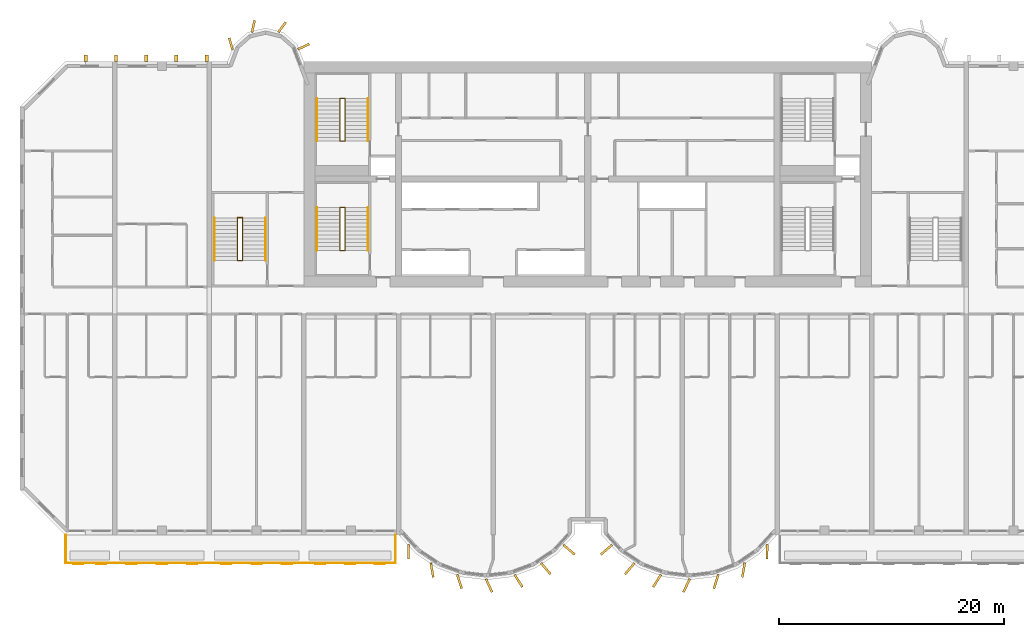
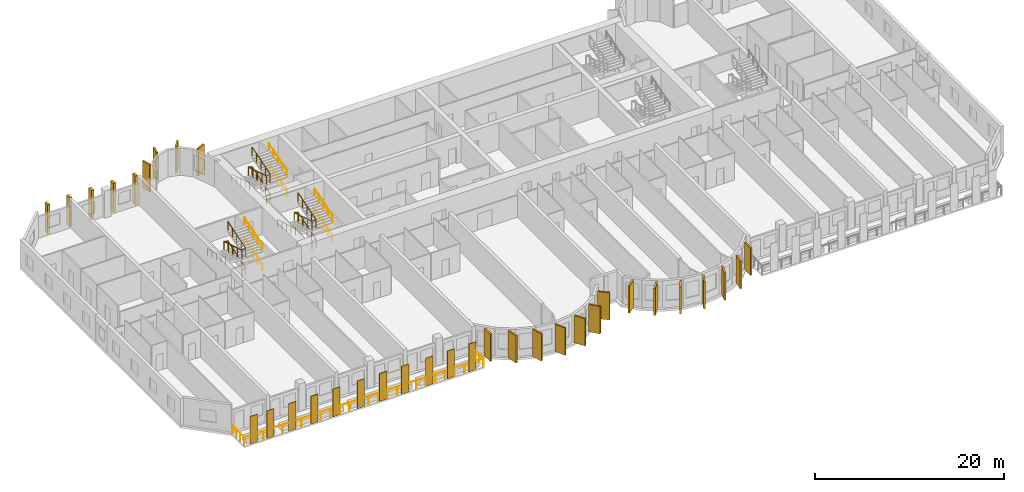
# One storey, part 12 of 14: 34 coverings, 13 railings.
"""IFC4 building model written with IfcOpenShell, lengths in metres."""

from ifc_helpers import new_model, si_unit, direction, frame, origin, origin_2d, place, context, subcontext, project, spatial, rectangle, circle, extrude, source, transform, mapped, material, layer, layer_set, material_profile, profile_set, type_object, element, save


model = new_model("IFC4")

# Units and contexts
model_context = context("Model", 3, precision=1e-05, world=origin(), true_north=direction((0.0, 1.0)))
body_context = subcontext(model_context, "Body", "Model", "MODEL_VIEW")
ifc_project = project(units=[si_unit("LENGTHUNIT", "METRE"), si_unit("AREAUNIT", "SQUARE_METRE"), si_unit("VOLUMEUNIT", "CUBIC_METRE"), si_unit("PLANEANGLEUNIT", "RADIAN"), si_unit("MASSUNIT", "GRAM", prefix="KILO")], contexts=[model_context])

# Site, building, storey
site_placement = place(None, origin())
site = spatial("IfcSite", under=ifc_project, at=site_placement, CompositionType="ELEMENT")
building_placement = place(site_placement, origin())
building = spatial("IfcBuilding", under=site, at=building_placement, Name="Vanashikhar Sky Hotel", CompositionType="ELEMENT")
storey_placement = place(building_placement, frame((0.0, 0.0, 50.60009765625)))
storey = spatial("IfcBuildingStorey", under=building, at=storey_placement, Name="L11", CompositionType="ELEMENT", Elevation=50.60009765625)

# Railing
ifc_material_1 = material(Name="Stainless steel 316", Category="steel")
railing_type_1 = type_object("IfcRailingType", Name="Balcony guard 1100", PredefinedType="GUARDRAIL", material=ifc_material_1)
shared_shape_1 = source(origin(), body_context, "Body", "SweptSolid", [
    extrude(circle(Radius=0.02392578125, at=origin_2d()), frame((0.0, 0.0, 1.076171875), z_axis=(0.0, -1.0, 0.0), x_axis=(1.0, 0.0, 0.0)), (0.0, 0.0, 1.0), 2.5),
    extrude(circle(Radius=0.02392578125, at=origin_2d()), frame((0.0, -2.5, 1.076171875), z_axis=(1.0, 0.0, 0.0), x_axis=(0.0, 1.0, 0.0)), (0.0, 0.0, 1.0), 29.280029296875),
    extrude(circle(Radius=0.02392578125, at=origin_2d()), frame((29.280029296875, -2.5, 1.076171875), z_axis=(0.0, 1.0, 0.0), x_axis=(-1.0, 0.0, 0.0)), (0.0, 0.0, 1.0), 2.5),
    extrude(circle(Radius=0.02099609375, at=origin_2d()), origin(), (0.0, 0.0, 1.0), 1.052001953125),
    extrude(circle(Radius=0.02099609375, at=origin_2d()), frame((0.0, -0.833251953125, 0.0)), (0.0, 0.0, 1.0), 1.052001953125),
    extrude(circle(Radius=0.02099609375, at=origin_2d()), frame((0.0, -1.666748046875, 0.0)), (0.0, 0.0, 1.0), 1.052001953125),
    extrude(circle(Radius=0.02099609375, at=origin_2d()), frame((0.0, -2.5, 0.0)), (0.0, 0.0, 1.0), 1.052001953125),
    extrude(circle(Radius=0.02099609375, at=origin_2d()), frame((1.171142578125, -2.5, 0.0)), (0.0, 0.0, 1.0), 1.052001953125),
    extrude(circle(Radius=0.02099609375, at=origin_2d()), frame((2.34228515625, -2.5, 0.0)), (0.0, 0.0, 1.0), 1.052001953125),
    extrude(circle(Radius=0.02099609375, at=origin_2d()), frame((3.513671875, -2.5, 0.0)), (0.0, 0.0, 1.0), 1.052001953125),
    extrude(circle(Radius=0.02099609375, at=origin_2d()), frame((4.684814453125, -2.5, 0.0)), (0.0, 0.0, 1.0), 1.052001953125),
    extrude(circle(Radius=0.02099609375, at=origin_2d()), frame((5.85595703125, -2.5, 0.0)), (0.0, 0.0, 1.0), 1.052001953125),
    extrude(circle(Radius=0.02099609375, at=origin_2d()), frame((7.027099609375, -2.5, 0.0)), (0.0, 0.0, 1.0), 1.052001953125),
    extrude(circle(Radius=0.02099609375, at=origin_2d()), frame((8.198486328125, -2.5, 0.0)), (0.0, 0.0, 1.0), 1.052001953125),
    extrude(circle(Radius=0.02099609375, at=origin_2d()), frame((9.36962890625, -2.5, 0.0)), (0.0, 0.0, 1.0), 1.052001953125),
    extrude(circle(Radius=0.02099609375, at=origin_2d()), frame((10.540771484375, -2.5, 0.0)), (0.0, 0.0, 1.0), 1.052001953125),
    extrude(circle(Radius=0.02099609375, at=origin_2d()), frame((11.7119140625, -2.5, 0.0)), (0.0, 0.0, 1.0), 1.052001953125),
    extrude(circle(Radius=0.02099609375, at=origin_2d()), frame((12.88330078125, -2.5, 0.0)), (0.0, 0.0, 1.0), 1.052001953125),
    extrude(circle(Radius=0.02099609375, at=origin_2d()), frame((14.054443359375, -2.5, 0.0)), (0.0, 0.0, 1.0), 1.052001953125),
    extrude(circle(Radius=0.02099609375, at=origin_2d()), frame((15.2255859375, -2.5, 0.0)), (0.0, 0.0, 1.0), 1.052001953125),
    extrude(circle(Radius=0.02099609375, at=origin_2d()), frame((16.396728515625, -2.5, 0.0)), (0.0, 0.0, 1.0), 1.052001953125),
    extrude(circle(Radius=0.02099609375, at=origin_2d()), frame((17.568115234375, -2.5, 0.0)), (0.0, 0.0, 1.0), 1.052001953125),
    extrude(circle(Radius=0.02099609375, at=origin_2d()), frame((18.7392578125, -2.5, 0.0)), (0.0, 0.0, 1.0), 1.052001953125),
    extrude(circle(Radius=0.02099609375, at=origin_2d()), frame((19.910400390625, -2.5, 0.0)), (0.0, 0.0, 1.0), 1.052001953125),
    extrude(circle(Radius=0.02099609375, at=origin_2d()), frame((21.08154296875, -2.5, 0.0)), (0.0, 0.0, 1.0), 1.052001953125),
    extrude(circle(Radius=0.02099609375, at=origin_2d()), frame((22.2529296875, -2.5, 0.0)), (0.0, 0.0, 1.0), 1.052001953125),
    extrude(circle(Radius=0.02099609375, at=origin_2d()), frame((23.424072265625, -2.5, 0.0)), (0.0, 0.0, 1.0), 1.052001953125),
    extrude(circle(Radius=0.02099609375, at=origin_2d()), frame((24.59521484375, -2.5, 0.0)), (0.0, 0.0, 1.0), 1.052001953125),
    extrude(circle(Radius=0.02099609375, at=origin_2d()), frame((25.766357421875, -2.5, 0.0)), (0.0, 0.0, 1.0), 1.052001953125),
    extrude(circle(Radius=0.02099609375, at=origin_2d()), frame((26.937744140625, -2.5, 0.0)), (0.0, 0.0, 1.0), 1.052001953125),
    extrude(circle(Radius=0.02099609375, at=origin_2d()), frame((28.10888671875, -2.5, 0.0)), (0.0, 0.0, 1.0), 1.052001953125),
    extrude(circle(Radius=0.02099609375, at=origin_2d()), frame((29.280029296875, -2.5, 0.0)), (0.0, 0.0, 1.0), 1.052001953125),
    extrude(circle(Radius=0.02099609375, at=origin_2d()), frame((29.280029296875, -1.666748046875, 0.0)), (0.0, 0.0, 1.0), 1.052001953125),
    extrude(circle(Radius=0.02099609375, at=origin_2d()), frame((29.280029296875, -0.833251953125, 0.0)), (0.0, 0.0, 1.0), 1.052001953125),
    extrude(circle(Radius=0.02099609375, at=origin_2d()), frame((29.280029296875, 0.0, 0.0)), (0.0, 0.0, 1.0), 1.052001953125),
])
railing_1_placement = place(storey_placement, frame((4.06005859375, 0.0, -0.050048828125)))
element("IfcRailing", 1, at=railing_1_placement, inside=storey, type_object=railing_type_1, Name="Balcony guard", PredefinedType="GUARDRAIL", context=body_context, shape_type="MappedRepresentation", body=[
    mapped(shared_shape_1, transform((0.0, 0.0, 0.0), scale=1.0)),
])

# Coverings
ifc_material_2 = material(Name="Terracotta", Category="masonry")
ifc_layer = layer(ifc_material_2, 0.06005859375)
ifc_layer_set = layer_set([ifc_layer], Name="Terracotta baguette screen")
covering_type_1 = type_object("IfcCoveringType", Name="Terracotta baguette screen", PredefinedType="CLADDING", material=ifc_layer_set)
shared_shape_2 = source(origin(), body_context, "Body", "SweptSolid", [
    extrude(rectangle(XDim=0.89990234375, YDim=0.06005859375, at=origin_2d()), origin(), (0.0, 0.0, 1.0), 3.60009765625),
])
for number, where, z_axis, x_axis, name in (
    (2, (5.175048828125, -2.570068359375, -0.050048828125), (0.0, 0.0, 1.0), (1.0, 0.0, 0.0), "Terracotta screen"),
    (3, (7.22509765625, -2.570068359375, -0.050048828125), (0.0, 0.0, 1.0), (1.0, 0.0, 0.0), "Terracotta screen"),
    (4, (9.89990234375, -2.570068359375, -0.050048828125), (0.0, 0.0, 1.0), (1.0, 0.0, 0.0), "Terracotta screen"),
    (5, (12.60009765625, -2.570068359375, -0.050048828125), (0.0, 0.0, 1.0), (1.0, 0.0, 0.0), "Terracotta screen"),
    (6, (15.300048828125, -2.570068359375, -0.050048828125), (0.0, 0.0, 1.0), (1.0, 0.0, 0.0), "Terracotta screen"),
    (7, (18.300048828125, -2.570068359375, -0.050048828125), (0.0, 0.0, 1.0), (1.0, 0.0, 0.0), "Terracotta screen"),
    (8, (21.0, -2.570068359375, -0.050048828125), (0.0, 0.0, 1.0), (1.0, 0.0, 0.0), "Terracotta screen"),
    (9, (23.699951171875, -2.570068359375, -0.050048828125), (0.0, 0.0, 1.0), (1.0, 0.0, 0.0), "Terracotta screen"),
    (10, (26.666748046875, -2.570068359375, -0.050048828125), (0.0, 0.0, 1.0), (1.0, 0.0, 0.0), "Terracotta screen"),
    (11, (29.300048828125, -2.570068359375, -0.050048828125), (0.0, 0.0, 1.0), (1.0, 0.0, 0.0), "Terracotta screen"),
    (12, (31.933349609375, -2.570068359375, -0.050048828125), (0.0, 0.0, 1.0), (1.0, 0.0, 0.0), "Terracotta screen"),
):
    element("IfcCovering", number, at=place(storey_placement, frame(where, z_axis=z_axis, x_axis=x_axis)), inside=storey, type_object=covering_type_1, Name=name, PredefinedType="CLADDING", context=body_context, shape_type="MappedRepresentation", body=[
        mapped(shared_shape_2, transform((0.0, 0.0, 0.0), scale=1.0)),
    ])
ifc_material_3 = material(Name="Concrete M60 dark", Category="concrete")
ifc_material_profile_1 = material_profile(ifc_material_3, rectangle(XDim=1.300048828125, YDim=0.199951171875, at=origin_2d()))
ifc_profile_set_1 = profile_set([ifc_material_profile_1], Name="Fin 1300 x 200")
covering_type_2 = type_object("IfcCoveringType", Name="Fin 1300 x 200", PredefinedType="CLADDING", material=ifc_profile_set_1)
shared_shape_3 = source(origin(), body_context, "Body", "SweptSolid", [
    extrude(rectangle(XDim=1.300048828125, YDim=0.199951171875, at=origin_2d()), origin(), (0.0, 0.0, 1.0), 3.52001953125),
])
for number, where, z_axis, x_axis, name in (
    (13, (34.482421875, -1.507080078125, 0.0), (0.0, 0.0, 1.0), (0.011588726826, -0.999932848451, 0.0), "Fin F1-1"),
    (14, (36.572509765625, -3.1220703125, 0.0), (0.0, 0.0, 1.0), (0.16989991575, -0.985461322746, 0.0), "Fin F1-2"),
    (15, (39.00830078125, -4.14306640625, 0.0), (0.0, 0.0, 1.0), (0.303966551867, -0.952682704444, 0.0), "Fin F1-3"),
    (16, (41.63232421875, -4.49853515625, 0.0), (0.0, 0.0, 1.0), (0.422618261741, -0.906307787037, 0.0), "Fin F1-4"),
    (17, (44.251953125, -4.083984375, 0.0), (0.0, 0.0, 1.0), (0.534411358496, -0.845224526331, 0.0), "Fin F1-5"),
    (18, (46.676025390625, -3.0, 0.0), (0.0, 0.0, 1.0), (0.645697609467, -0.763593214433, 0.0), "Fin F1-6"),
    (19, (48.7412109375, -1.3154296875, 0.0), (0.0, 0.0, 1.0), (0.758543912032, -0.65162192529, 0.0), "Fin F1-7"),
    (20, (52.058837890625, -1.3154296875, 0.0), (0.0, 0.0, 1.0), (-0.758543912032, -0.65162192529, 0.0), "Fin F2-1"),
    (21, (54.123779296875, -3.0, 0.0), (0.0, 0.0, 1.0), (-0.645697609467, -0.763593214433, 0.0), "Fin F2-2"),
    (22, (56.547119140625, -4.083984375, 0.0), (0.0, 0.0, 1.0), (-0.534411358496, -0.845224526331, 0.0), "Fin F2-3"),
    (23, (59.16748046875, -4.49853515625, 0.0), (0.0, 0.0, 1.0), (-0.422618261741, -0.906307787037, 0.0), "Fin F2-4"),
    (24, (61.790771484375, -4.14306640625, 0.0), (0.0, 0.0, 1.0), (-0.303966551867, -0.952682704444, 0.0), "Fin F2-5"),
    (25, (64.2275390625, -3.1220703125, 0.0), (0.0, 0.0, 1.0), (-0.16989991575, -0.985461322746, 0.0), "Fin F2-6"),
    (26, (66.317626953125, -1.507080078125, 0.0), (0.0, 0.0, 1.0), (-0.011588726826, -0.999932848451, 0.0), "Fin F2-7"),
):
    element("IfcCovering", number, at=place(storey_placement, frame(where, z_axis=z_axis, x_axis=x_axis)), inside=storey, type_object=covering_type_2, Name=name, PredefinedType="CLADDING", context=body_context, shape_type="MappedRepresentation", body=[
        mapped(shared_shape_3, transform((0.0, 0.0, 0.0), scale=1.0)),
    ])
ifc_material_profile_2 = material_profile(ifc_material_3, rectangle(XDim=1.10009765625, YDim=0.199951171875, at=origin_2d()))
ifc_profile_set_2 = profile_set([ifc_material_profile_2], Name="Rear lobe fin 1100 x 200")
covering_type_3 = type_object("IfcCoveringType", Name="Rear lobe fin 1100 x 200", PredefinedType="CLADDING", material=ifc_profile_set_2)
shared_shape_4 = source(origin(), body_context, "Body", "SweptSolid", [
    extrude(rectangle(XDim=1.10009765625, YDim=0.199951171875, at=origin_2d()), origin(), (0.0, 0.0, 1.0), 3.52001953125),
])
for number, where, z_axis, x_axis, name in (
    (27, (18.720703125, 43.580078125, 0.0), (0.0, 0.0, 1.0), (-0.262711264409, 0.964874495234, 0.0), "Fin R1-1"),
    (28, (20.710205078125, 45.1455078125, 0.0), (0.0, 0.0, 1.0), (0.224644935864, 0.974440687159, 0.0), "Fin R1-2"),
    (29, (23.261962890625, 45.06640625, 0.0), (0.0, 0.0, 1.0), (0.602065892195, 0.798446404874, 0.0), "Fin R1-3"),
    (30, (25.169677734375, 43.33447265625, 0.0), (0.0, 0.0, 1.0), (0.908004291068, 0.418960866193, 0.0), "Fin R1-4"),
):
    element("IfcCovering", number, at=place(storey_placement, frame(where, z_axis=z_axis, x_axis=x_axis)), inside=storey, type_object=covering_type_3, Name=name, PredefinedType="CLADDING", context=body_context, shape_type="MappedRepresentation", body=[
        mapped(shared_shape_4, transform((0.0, 0.0, 0.0), scale=1.0)),
    ])
ifc_material_profile_3 = material_profile(ifc_material_3, rectangle(XDim=0.60009765625, YDim=0.300048828125, at=origin_2d()))
ifc_profile_set_3 = profile_set([ifc_material_profile_3], Name="Rear rib 600 x 300")
covering_type_4 = type_object("IfcCoveringType", Name="Rear rib 600 x 300", PredefinedType="CLADDING", material=ifc_profile_set_3)
shared_shape_5 = source(origin(), body_context, "Body", "SweptSolid", [
    extrude(rectangle(XDim=0.60009765625, YDim=0.300048828125, at=origin_2d()), origin(), (0.0, 0.0, 1.0), 3.800048828125),
])
for number, where, z_axis, x_axis, name in (
    (31, (5.840087890625, 42.300048828125, -0.280029296875), (0.0, 0.0, 1.0), (0.0, 1.0, 0.0), "Rear rib"),
    (32, (8.52001953125, 42.300048828125, -0.280029296875), (0.0, 0.0, 1.0), (0.0, 1.0, 0.0), "Rear rib"),
    (33, (11.199951171875, 42.300048828125, -0.280029296875), (0.0, 0.0, 1.0), (0.0, 1.0, 0.0), "Rear rib"),
    (34, (13.8798828125, 42.300048828125, -0.280029296875), (0.0, 0.0, 1.0), (0.0, 1.0, 0.0), "Rear rib"),
    (35, (16.56005859375, 42.300048828125, -0.280029296875), (0.0, 0.0, 1.0), (0.0, 1.0, 0.0), "Rear rib"),
):
    element("IfcCovering", number, at=place(storey_placement, frame(where, z_axis=z_axis, x_axis=x_axis)), inside=storey, type_object=covering_type_4, Name=name, PredefinedType="CLADDING", context=body_context, shape_type="MappedRepresentation", body=[
        mapped(shared_shape_5, transform((0.0, 0.0, 0.0), scale=1.0)),
    ])

# Railings
ifc_material_4 = material(Name="Steel S355", Category="steel")
railing_type_2 = type_object("IfcRailingType", Name="Stair handrail 900", PredefinedType="HANDRAIL", material=ifc_material_4)
shared_shape_6 = source(origin(), body_context, "Body", "SweptSolid", [
    extrude(circle(Radius=0.02392578125, at=origin_2d()), frame((0.0, 0.0, 0.8759765625), z_axis=(0.0, 0.95635109408, 0.292220096591), x_axis=(-1.0, 0.0, 0.0)), (0.0, 0.0, 1.0), 3.973388671875),
    extrude(circle(Radius=0.02099609375, at=origin_2d()), origin(), (0.0, 0.0, 1.0), 0.851806640625),
    extrude(circle(Radius=0.02099609375, at=origin_2d()), frame((0.0, 0.949951171875, 0.290283203125)), (0.0, 0.0, 1.0), 0.851806640625),
    extrude(circle(Radius=0.02099609375, at=origin_2d()), frame((0.0, 1.89990234375, 0.58056640625)), (0.0, 0.0, 1.0), 0.851806640625),
    extrude(circle(Radius=0.02099609375, at=origin_2d()), frame((0.0, 2.85009765625, 0.870849609375)), (0.0, 0.0, 1.0), 0.851806640625),
    extrude(circle(Radius=0.02099609375, at=origin_2d()), frame((0.0, 3.800048828125, 1.1611328125)), (0.0, 0.0, 1.0), 0.851806640625),
])
for number, where, name in (
    (36, (30.89990234375, 25.25, 0.10546875), "Exit stair 1 handrail"),
    (37, (30.89990234375, 25.25, 2.638671875), "Exit stair 1 handrail"),
    (38, (30.89990234375, 34.949951171875, 0.10546875), "Exit stair 5 handrail"),
    (39, (30.89990234375, 34.949951171875, 2.638671875), "Exit stair 5 handrail"),
):
    element("IfcRailing", number, at=place(storey_placement, frame(where)), inside=storey, type_object=railing_type_2, Name=name, PredefinedType="HANDRAIL", context=body_context, shape_type="MappedRepresentation", body=[
        mapped(shared_shape_6, transform((0.0, 0.0, 0.0), scale=1.0)),
    ])
shared_shape_7 = source(origin(), body_context, "Body", "SweptSolid", [
    extrude(circle(Radius=0.02392578125, at=origin_2d()), frame((0.0, 0.0, 0.8759765625), z_axis=(0.0, -0.95635109408, 0.292220096591), x_axis=(1.0, 0.0, 0.0)), (0.0, 0.0, 1.0), 3.973388671875),
    extrude(circle(Radius=0.02099609375, at=origin_2d()), origin(), (0.0, 0.0, 1.0), 0.851806640625),
    extrude(circle(Radius=0.02099609375, at=origin_2d()), frame((0.0, -0.949951171875, 0.290283203125)), (0.0, 0.0, 1.0), 0.851806640625),
    extrude(circle(Radius=0.02099609375, at=origin_2d()), frame((0.0, -1.89990234375, 0.58056640625)), (0.0, 0.0, 1.0), 0.851806640625),
    extrude(circle(Radius=0.02099609375, at=origin_2d()), frame((0.0, -2.85009765625, 0.870849609375)), (0.0, 0.0, 1.0), 0.851806640625),
    extrude(circle(Radius=0.02099609375, at=origin_2d()), frame((0.0, -3.800048828125, 1.1611328125)), (0.0, 0.0, 1.0), 0.851806640625),
])
for number, where, name in (
    (40, (26.35009765625, 29.050048828125, 1.3720703125), "Exit stair 1 handrail"),
    (41, (26.35009765625, 38.75, 1.3720703125), "Exit stair 5 handrail"),
):
    element("IfcRailing", number, at=place(storey_placement, frame(where)), inside=storey, type_object=railing_type_2, Name=name, PredefinedType="HANDRAIL", context=body_context, shape_type="MappedRepresentation", body=[
        mapped(shared_shape_7, transform((0.0, 0.0, 0.0), scale=1.0)),
    ])
railing_type_3 = type_object("IfcRailingType", Name="Stair guard 1100", PredefinedType="GUARDRAIL", material=ifc_material_4)
shared_shape_8 = source(origin(), body_context, "Body", "SweptSolid", [
    extrude(circle(Radius=0.02392578125, at=origin_2d()), frame((0.0, 0.0, 1.076171875), z_axis=(0.973638301096, 0.0, 0.228097476179), x_axis=(0.0, 1.0, 0.0)), (0.0, 0.0, 1.0), 0.46240234375),
    extrude(circle(Radius=0.02392578125, at=origin_2d()), frame((0.4501953125, 0.0, 1.181640625), z_axis=(0.0, 0.95635109408, 0.292220096591), x_axis=(-1.0, 0.0, 0.0)), (0.0, 0.0, 1.0), 3.973388671875),
    extrude(circle(Radius=0.02392578125, at=origin_2d()), frame((0.4501953125, 3.800048828125, 2.3427734375), z_axis=(-0.973638301096, 0.0, 0.228097476179), x_axis=(0.0, -1.0, 0.0)), (0.0, 0.0, 1.0), 0.46240234375),
    extrude(circle(Radius=0.02392578125, at=origin_2d()), frame((0.0, 3.800048828125, 2.4482421875), z_axis=(0.0, -0.95635109408, 0.292220096591), x_axis=(1.0, 0.0, 0.0)), (0.0, 0.0, 1.0), 3.973388671875),
    extrude(circle(Radius=0.02392578125, at=origin_2d()), frame((0.0, 0.0, 3.609375), z_axis=(0.973638301096, 0.0, 0.228097476179), x_axis=(0.0, 1.0, 0.0)), (0.0, 0.0, 1.0), 0.46240234375),
    extrude(circle(Radius=0.02392578125, at=origin_2d()), frame((0.4501953125, 0.0, 3.71484375), z_axis=(0.0, 0.95635109408, 0.292220096591), x_axis=(-1.0, 0.0, 0.0)), (0.0, 0.0, 1.0), 3.973388671875),
    extrude(circle(Radius=0.02099609375, at=origin_2d()), origin(), (0.0, 0.0, 1.0), 1.052001953125),
    extrude(circle(Radius=0.02099609375, at=origin_2d()), frame((0.4501953125, 0.0, 0.10546875)), (0.0, 0.0, 1.0), 1.052001953125),
    extrude(circle(Radius=0.02099609375, at=origin_2d()), frame((0.4501953125, 0.949951171875, 0.395751953125)), (0.0, 0.0, 1.0), 1.052001953125),
    extrude(circle(Radius=0.02099609375, at=origin_2d()), frame((0.4501953125, 1.89990234375, 0.68603515625)), (0.0, 0.0, 1.0), 1.052001953125),
    extrude(circle(Radius=0.02099609375, at=origin_2d()), frame((0.4501953125, 2.85009765625, 0.976318359375)), (0.0, 0.0, 1.0), 1.052001953125),
    extrude(circle(Radius=0.02099609375, at=origin_2d()), frame((0.4501953125, 3.800048828125, 1.2666015625)), (0.0, 0.0, 1.0), 1.052001953125),
    extrude(circle(Radius=0.02099609375, at=origin_2d()), frame((0.0, 3.800048828125, 1.3720703125)), (0.0, 0.0, 1.0), 1.052001953125),
    extrude(circle(Radius=0.02099609375, at=origin_2d()), frame((0.0, 2.85009765625, 1.662353515625)), (0.0, 0.0, 1.0), 1.052001953125),
    extrude(circle(Radius=0.02099609375, at=origin_2d()), frame((0.0, 1.89990234375, 1.95263671875)), (0.0, 0.0, 1.0), 1.052001953125),
    extrude(circle(Radius=0.02099609375, at=origin_2d()), frame((0.0, 0.949951171875, 2.242919921875)), (0.0, 0.0, 1.0), 1.052001953125),
    extrude(circle(Radius=0.02099609375, at=origin_2d()), frame((0.0, 0.0, 2.533203125)), (0.0, 0.0, 1.0), 1.052001953125),
    extrude(circle(Radius=0.02099609375, at=origin_2d()), frame((0.4501953125, 0.0, 2.638671875)), (0.0, 0.0, 1.0), 1.052001953125),
    extrude(circle(Radius=0.02099609375, at=origin_2d()), frame((0.4501953125, 0.949951171875, 2.928955078125)), (0.0, 0.0, 1.0), 1.052001953125),
    extrude(circle(Radius=0.02099609375, at=origin_2d()), frame((0.4501953125, 1.89990234375, 3.21923828125)), (0.0, 0.0, 1.0), 1.052001953125),
    extrude(circle(Radius=0.02099609375, at=origin_2d()), frame((0.4501953125, 2.85009765625, 3.509521484375)), (0.0, 0.0, 1.0), 1.052001953125),
    extrude(circle(Radius=0.02099609375, at=origin_2d()), frame((0.4501953125, 3.800048828125, 3.7998046875)), (0.0, 0.0, 1.0), 1.052001953125),
])
for number, where, name in (
    (42, (28.39990234375, 25.25, 0.0), "Exit stair 1 guard"),
    (43, (28.39990234375, 34.949951171875, 0.0), "Exit stair 5 guard"),
):
    element("IfcRailing", number, at=place(storey_placement, frame(where)), inside=storey, type_object=railing_type_3, Name=name, PredefinedType="GUARDRAIL", context=body_context, shape_type="MappedRepresentation", body=[
        mapped(shared_shape_8, transform((0.0, 0.0, 0.0), scale=1.0)),
    ])
shared_shape_9 = source(origin(), body_context, "Body", "SweptSolid", [
    extrude(circle(Radius=0.02392578125, at=origin_2d()), frame((0.0, 0.0, 0.8759765625), z_axis=(0.0, 0.956345846891, 0.292237268557), x_axis=(-1.0, 0.0, 0.0)), (0.0, 0.0, 1.0), 3.97314453125),
    extrude(circle(Radius=0.02099609375, at=origin_2d()), origin(), (0.0, 0.0, 1.0), 0.851806640625),
    extrude(circle(Radius=0.02099609375, at=origin_2d()), frame((0.0, 0.949951171875, 0.290283203125)), (0.0, 0.0, 1.0), 0.851806640625),
    extrude(circle(Radius=0.02099609375, at=origin_2d()), frame((0.0, 1.89990234375, 0.58056640625)), (0.0, 0.0, 1.0), 0.851806640625),
    extrude(circle(Radius=0.02099609375, at=origin_2d()), frame((0.0, 2.849853515625, 0.870849609375)), (0.0, 0.0, 1.0), 0.851806640625),
    extrude(circle(Radius=0.02099609375, at=origin_2d()), frame((0.0, 3.7998046875, 1.1611328125)), (0.0, 0.0, 1.0), 0.851806640625),
])
for number, where, name in (
    (44, (21.800048828125, 24.35009765625, 0.10546875), "Exit stair 3 handrail"),
    (45, (21.800048828125, 24.35009765625, 2.638671875), "Exit stair 3 handrail"),
):
    element("IfcRailing", number, at=place(storey_placement, frame(where)), inside=storey, type_object=railing_type_2, Name=name, PredefinedType="HANDRAIL", context=body_context, shape_type="MappedRepresentation", body=[
        mapped(shared_shape_9, transform((0.0, 0.0, 0.0), scale=1.0)),
    ])
shared_shape_10 = source(origin(), body_context, "Body", "SweptSolid", [
    extrude(circle(Radius=0.02392578125, at=origin_2d()), frame((0.0, 0.0, 0.8759765625), z_axis=(0.0, -0.956345846891, 0.292237268557), x_axis=(1.0, 0.0, 0.0)), (0.0, 0.0, 1.0), 3.97314453125),
    extrude(circle(Radius=0.02099609375, at=origin_2d()), origin(), (0.0, 0.0, 1.0), 0.851806640625),
    extrude(circle(Radius=0.02099609375, at=origin_2d()), frame((0.0, -0.949951171875, 0.290283203125)), (0.0, 0.0, 1.0), 0.851806640625),
    extrude(circle(Radius=0.02099609375, at=origin_2d()), frame((0.0, -1.89990234375, 0.58056640625)), (0.0, 0.0, 1.0), 0.851806640625),
    extrude(circle(Radius=0.02099609375, at=origin_2d()), frame((0.0, -2.849853515625, 0.870849609375)), (0.0, 0.0, 1.0), 0.851806640625),
    extrude(circle(Radius=0.02099609375, at=origin_2d()), frame((0.0, -3.7998046875, 1.1611328125)), (0.0, 0.0, 1.0), 0.851806640625),
])
railing_2_placement = place(storey_placement, frame((17.25, 28.14990234375, 1.3720703125)))
element("IfcRailing", 46, at=railing_2_placement, inside=storey, type_object=railing_type_2, Name="Exit stair 3 handrail", PredefinedType="HANDRAIL", context=body_context, shape_type="MappedRepresentation", body=[
    mapped(shared_shape_10, transform((0.0, 0.0, 0.0), scale=1.0)),
])
shared_shape_11 = source(origin(), body_context, "Body", "SweptSolid", [
    extrude(circle(Radius=0.02392578125, at=origin_2d()), frame((0.0, 0.0, 1.076171875), z_axis=(0.973610808694, 0.0, 0.228214796178), x_axis=(0.0, 1.0, 0.0)), (0.0, 0.0, 1.0), 0.462158203125),
    extrude(circle(Radius=0.02392578125, at=origin_2d()), frame((0.449951171875, 0.0, 1.181640625), z_axis=(0.0, 0.956345846891, 0.292237268557), x_axis=(-1.0, 0.0, 0.0)), (0.0, 0.0, 1.0), 3.97314453125),
    extrude(circle(Radius=0.02392578125, at=origin_2d()), frame((0.449951171875, 3.7998046875, 2.3427734375), z_axis=(-0.973610808694, 0.0, 0.228214796178), x_axis=(0.0, -1.0, 0.0)), (0.0, 0.0, 1.0), 0.462158203125),
    extrude(circle(Radius=0.02392578125, at=origin_2d()), frame((0.0, 3.7998046875, 2.4482421875), z_axis=(0.0, -0.956345846891, 0.292237268557), x_axis=(1.0, 0.0, 0.0)), (0.0, 0.0, 1.0), 3.97314453125),
    extrude(circle(Radius=0.02392578125, at=origin_2d()), frame((0.0, 0.0, 3.609375), z_axis=(0.973610808694, 0.0, 0.228214796178), x_axis=(0.0, 1.0, 0.0)), (0.0, 0.0, 1.0), 0.462158203125),
    extrude(circle(Radius=0.02392578125, at=origin_2d()), frame((0.449951171875, 0.0, 3.71484375), z_axis=(0.0, 0.956345846891, 0.292237268557), x_axis=(-1.0, 0.0, 0.0)), (0.0, 0.0, 1.0), 3.97314453125),
    extrude(circle(Radius=0.02099609375, at=origin_2d()), origin(), (0.0, 0.0, 1.0), 1.052001953125),
    extrude(circle(Radius=0.02099609375, at=origin_2d()), frame((0.449951171875, 0.0, 0.10546875)), (0.0, 0.0, 1.0), 1.052001953125),
    extrude(circle(Radius=0.02099609375, at=origin_2d()), frame((0.449951171875, 0.949951171875, 0.395751953125)), (0.0, 0.0, 1.0), 1.052001953125),
    extrude(circle(Radius=0.02099609375, at=origin_2d()), frame((0.449951171875, 1.89990234375, 0.68603515625)), (0.0, 0.0, 1.0), 1.052001953125),
    extrude(circle(Radius=0.02099609375, at=origin_2d()), frame((0.449951171875, 2.849853515625, 0.976318359375)), (0.0, 0.0, 1.0), 1.052001953125),
    extrude(circle(Radius=0.02099609375, at=origin_2d()), frame((0.449951171875, 3.7998046875, 1.2666015625)), (0.0, 0.0, 1.0), 1.052001953125),
    extrude(circle(Radius=0.02099609375, at=origin_2d()), frame((0.0, 3.7998046875, 1.3720703125)), (0.0, 0.0, 1.0), 1.052001953125),
    extrude(circle(Radius=0.02099609375, at=origin_2d()), frame((0.0, 2.849853515625, 1.662353515625)), (0.0, 0.0, 1.0), 1.052001953125),
    extrude(circle(Radius=0.02099609375, at=origin_2d()), frame((0.0, 1.89990234375, 1.95263671875)), (0.0, 0.0, 1.0), 1.052001953125),
    extrude(circle(Radius=0.02099609375, at=origin_2d()), frame((0.0, 0.949951171875, 2.242919921875)), (0.0, 0.0, 1.0), 1.052001953125),
    extrude(circle(Radius=0.02099609375, at=origin_2d()), frame((0.0, 0.0, 2.533203125)), (0.0, 0.0, 1.0), 1.052001953125),
    extrude(circle(Radius=0.02099609375, at=origin_2d()), frame((0.449951171875, 0.0, 2.638671875)), (0.0, 0.0, 1.0), 1.052001953125),
    extrude(circle(Radius=0.02099609375, at=origin_2d()), frame((0.449951171875, 0.949951171875, 2.928955078125)), (0.0, 0.0, 1.0), 1.052001953125),
    extrude(circle(Radius=0.02099609375, at=origin_2d()), frame((0.449951171875, 1.89990234375, 3.21923828125)), (0.0, 0.0, 1.0), 1.052001953125),
    extrude(circle(Radius=0.02099609375, at=origin_2d()), frame((0.449951171875, 2.849853515625, 3.509521484375)), (0.0, 0.0, 1.0), 1.052001953125),
    extrude(circle(Radius=0.02099609375, at=origin_2d()), frame((0.449951171875, 3.7998046875, 3.7998046875)), (0.0, 0.0, 1.0), 1.052001953125),
])
railing_3_placement = place(storey_placement, frame((19.300048828125, 24.35009765625, 0.0)))
element("IfcRailing", 47, at=railing_3_placement, inside=storey, type_object=railing_type_3, Name="Exit stair 3 guard", PredefinedType="GUARDRAIL", context=body_context, shape_type="MappedRepresentation", body=[
    mapped(shared_shape_11, transform((0.0, 0.0, 0.0), scale=1.0)),
])

save(model, "model.ifc")
